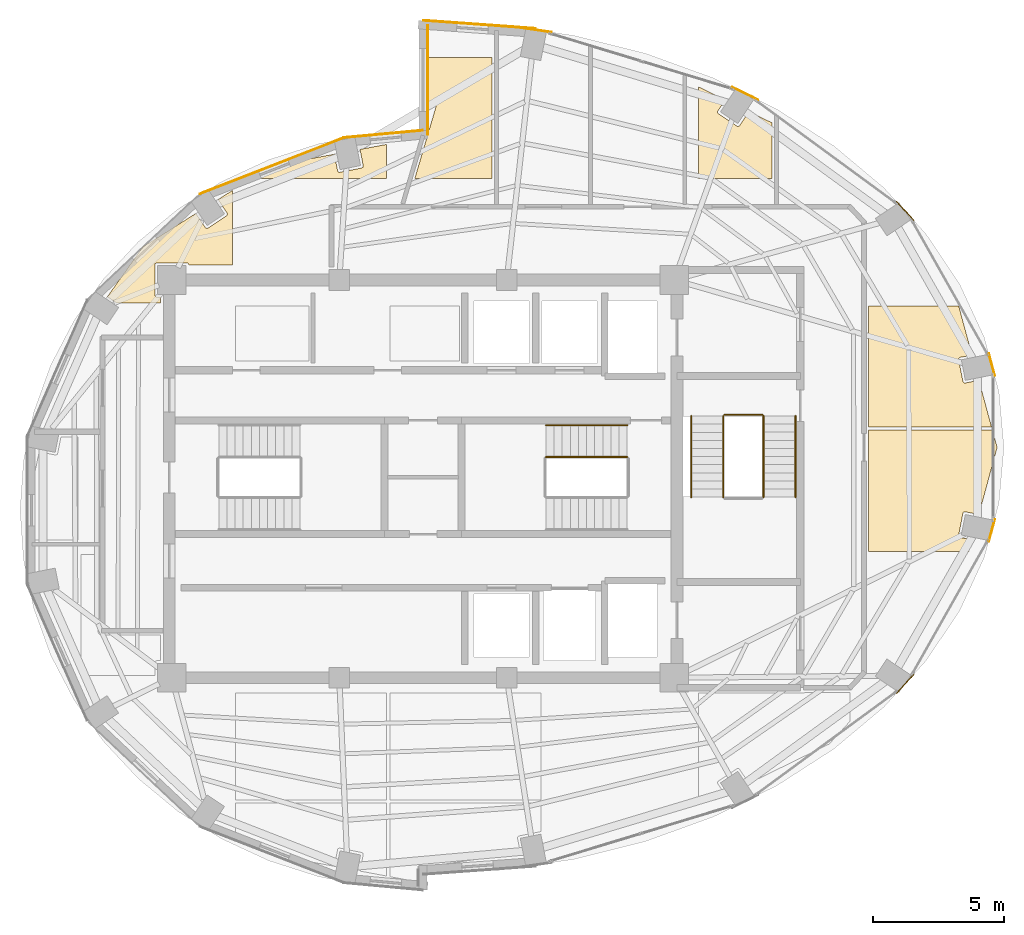
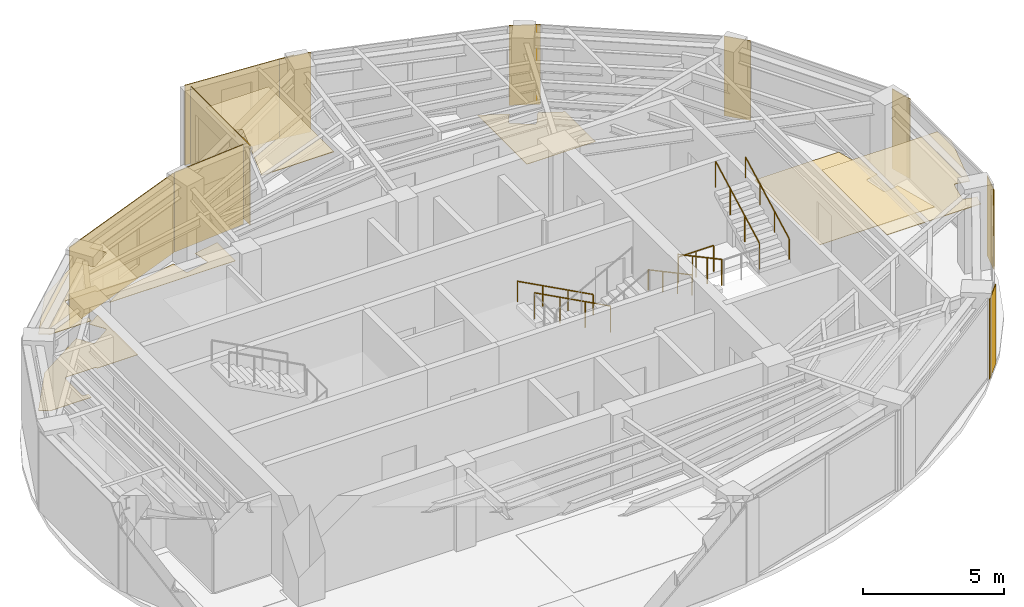
# One storey, part 13 of 13: 17 coverings, 7 railings.
"""IFC4 building model written with IfcOpenShell, lengths in metres."""

from ifc_helpers import new_model, si_unit, direction, frame, origin, origin_2d, place, context, subcontext, project, spatial, polyline, rectangle, circle, outline, extrude, material, layer, layer_set, type_object, element, save


model = new_model("IFC4")

# Units and contexts
model_context = context("Model", 3, precision=1e-05, world=origin(), true_north=direction((0.0, 1.0)))
body_context = subcontext(model_context, "Body", "Model", "MODEL_VIEW")
ifc_project = project(units=[si_unit("LENGTHUNIT", "METRE"), si_unit("AREAUNIT", "SQUARE_METRE"), si_unit("VOLUMEUNIT", "CUBIC_METRE"), si_unit("PLANEANGLEUNIT", "RADIAN"), si_unit("MASSUNIT", "GRAM", prefix="KILO")], contexts=[model_context])

# Site, building, storey
site_placement = place(None, origin())
site = spatial("IfcSite", under=ifc_project, at=site_placement, CompositionType="ELEMENT")
building_placement = place(site_placement, origin())
building = spatial("IfcBuilding", under=site, at=building_placement, Name="Lazwardi Medical Tower", CompositionType="ELEMENT")
storey_placement = place(building_placement, frame((0.0, 0.0, 295.152099609375)))
storey = spatial("IfcBuildingStorey", under=building, at=storey_placement, Name="L77", CompositionType="ELEMENT", Elevation=295.152099609375)

# Coverings
ifc_material_1 = material(Name="Anodised bronze aluminium cassette cladding", Category="aluminium")
ifc_layer_1 = layer(ifc_material_1, 0.030029296875)
ifc_layer_set_1 = layer_set([ifc_layer_1], Name="Anodised bronze aluminium cassette cladding")
covering_type_1 = type_object("IfcCoveringType", Name="COV-CLD-BRZ", PredefinedType="CLADDING", material=ifc_layer_set_1)
covering_1_placement = place(storey_placement, frame((54.42529296875, 20.165283203125, 0.0), z_axis=(0.0, 0.0, 1.0), x_axis=(0.673240970654, 0.739423150458, 0.0)))
element("IfcCovering", 1, at=covering_1_placement, inside=storey, type_object=covering_type_1, Name="L77 Mega-column bronze cassette cover M03", PredefinedType="CLADDING", context=body_context, shape_type="SweptSolid", body=[
    extrude(rectangle(XDim=0.98974609375, YDim=0.030029296875, at=origin_2d()), origin(), (0.0, 0.0, 1.0), 3.447998046875),
])
for number, where, z_axis, x_axis, name in (
    (2, (57.734130859375, 26.02734375, 0.0), (0.0, 0.0, 1.0), (0.261641748247, 0.96516506131, 0.0), "L77 Mega-column bronze cassette cover M04"),
    (3, (57.734130859375, 32.37255859375, 0.0), (0.0, 0.0, 1.0), (-0.261641748247, 0.96516506131, 0.0), "L77 Mega-column bronze cassette cover M05"),
):
    element("IfcCovering", number, at=place(storey_placement, frame(where, z_axis=z_axis, x_axis=x_axis)), inside=storey, type_object=covering_type_1, Name=name, PredefinedType="CLADDING", context=body_context, shape_type="SweptSolid", body=[
        extrude(rectangle(XDim=0.894287109375, YDim=0.030029296875, at=origin_2d()), origin(), (0.0, 0.0, 1.0), 3.447998046875),
    ])
covering_2_placement = place(storey_placement, frame((54.42529296875, 38.234619140625, 0.0), z_axis=(0.0, 0.0, 1.0), x_axis=(-0.673240970654, 0.739423150458, 0.0)))
element("IfcCovering", 4, at=covering_2_placement, inside=storey, type_object=covering_type_1, Name="L77 Mega-column bronze cassette cover M06", PredefinedType="CLADDING", context=body_context, shape_type="SweptSolid", body=[
    extrude(rectangle(XDim=0.98974609375, YDim=0.030029296875, at=origin_2d()), origin(), (0.0, 0.0, 1.0), 3.447998046875),
])
covering_3_placement = place(storey_placement, frame((48.311279296875, 42.721435546875, 0.0), z_axis=(0.0, 0.0, 1.0), x_axis=(-0.897840141691, 0.440321564278, 0.0)))
element("IfcCovering", 5, at=covering_3_placement, inside=storey, type_object=covering_type_1, Name="L77 Mega-column bronze cassette cover M07", PredefinedType="CLADDING", context=body_context, shape_type="SweptSolid", body=[
    extrude(rectangle(XDim=1.110595703125, YDim=0.030029296875, at=origin_2d()), origin(), (0.0, 0.0, 1.0), 3.447998046875),
])
covering_4_placement = place(storey_placement, frame((40.3232421875, 45.1494140625, 0.0), z_axis=(0.0, 0.0, 1.0), x_axis=(-0.989512431533, 0.144447733943, 0.0)))
element("IfcCovering", 6, at=covering_4_placement, inside=storey, type_object=covering_type_1, Name="L77 Mega-column bronze cassette cover M08", PredefinedType="CLADDING", context=body_context, shape_type="SweptSolid", body=[
    extrude(rectangle(XDim=1.188720703125, YDim=0.030029296875, at=origin_2d()), origin(), (0.0, 0.0, 1.0), 3.447998046875),
])
ifc_material_2 = material(Name="Turquoise glazed ceramic tilework cladding", Category="masonry")
ifc_layer_2 = layer(ifc_material_2, 0.034912109375)
ifc_layer_set_2 = layer_set([ifc_layer_2], Name="Turquoise glazed ceramic tilework cladding")
covering_type_2 = type_object("IfcCoveringType", Name="COV-CLD-TRQ", PredefinedType="CLADDING", material=ifc_layer_set_2)
covering_5_placement = place(storey_placement, frame((30.216064453125, 39.956787109375, 0.0), z_axis=(0.0, 0.0, 1.0), x_axis=(-0.931720388261, -0.363176428337, 0.0)))
element("IfcCovering", 7, at=covering_5_placement, inside=storey, type_object=covering_type_2, Name="L77 West drum ceramic/bronze cladding", PredefinedType="CLADDING", context=body_context, shape_type="SweptSolid", body=[
    extrude(rectangle(XDim=5.904052734375, YDim=0.034912109375, at=origin_2d()), origin(), (0.0, 0.0, 1.0), 3.447998046875),
])
covering_6_placement = place(storey_placement, frame((38.16259765625, 45.360107421875, 0.0), z_axis=(0.0, 0.0, 1.0), x_axis=(-0.997409491337, 0.071932653157, 0.0)))
element("IfcCovering", 8, at=covering_6_placement, inside=storey, type_object=covering_type_2, Name="L77 Turquoise glazed ceramic tilework cladding", PredefinedType="CLADDING", context=body_context, shape_type="SweptSolid", body=[
    extrude(rectangle(XDim=4.31103515625, YDim=0.034912109375, at=origin_2d()), origin(), (0.0, 0.0, 1.0), 3.447998046875),
])
covering_7_placement = place(storey_placement, frame((34.4970703125, 41.177001953125, 0.0), z_axis=(0.0, 0.0, 1.0), x_axis=(-0.995733560537, -0.092275004312, 0.0)))
element("IfcCovering", 9, at=covering_7_placement, inside=storey, type_object=covering_type_2, Name="L77 Turquoise glazed ceramic tilework cladding", PredefinedType="CLADDING", context=body_context, shape_type="SweptSolid", body=[
    extrude(rectangle(XDim=2.985595703125, YDim=0.034912109375, at=origin_2d()), origin(), (0.0, 0.0, 1.0), 3.447998046875),
])
covering_8_placement = place(storey_placement, frame((36.175537109375, 43.239990234375, 0.0), z_axis=(0.0, 0.0, 1.0), x_axis=(0.0, -1.0, 0.0)))
element("IfcCovering", 10, at=covering_8_placement, inside=storey, type_object=covering_type_2, Name="L77 Turquoise glazed ceramic tilework iwan panel", PredefinedType="CLADDING", context=body_context, shape_type="SweptSolid", body=[
    extrude(rectangle(XDim=4.199951171875, YDim=0.034912109375, at=origin_2d()), origin(), (0.0, 0.0, 1.0), 3.447998046875),
])
ifc_material_3 = material(Name="Acoustic mineral fibre tile")
ifc_layer_3 = layer(ifc_material_3, 0.02490234375)
ifc_layer_set_3 = layer_set([ifc_layer_3], Name="Acoustic mineral fibre tile")
covering_type_3 = type_object("IfcCoveringType", Name="COV-CLG-01", PredefinedType="CEILING", material=ifc_layer_set_3)
covering_9_placement = place(storey_placement, frame((0.0, 0.0, 3.302978515625)))
element("IfcCovering", 11, at=covering_9_placement, inside=storey, type_object=covering_type_3, Name="L77 Clinical Acoustic Ceiling 3", PredefinedType="CEILING", context=body_context, shape_type="SweptSolid", body=[
    extrude(outline(polyline([(28.7119140625, 39.015380859375), (28.167724609375, 38.67333984375), (28.510009765625, 38.1611328125), (28.51416015625, 38.154541015625), (28.517333984375, 38.1474609375), (28.52001953125, 38.139892578125), (28.52197265625, 38.13232421875), (28.523193359375, 38.12451171875), (28.5234375, 38.11669921875), (28.523193359375, 38.10888671875), (28.52197265625, 38.101318359375), (28.52001953125, 38.093505859375), (28.517333984375, 38.086181640625), (28.51416015625, 38.0791015625), (28.510009765625, 38.072509765625), (28.50537109375, 38.066162109375), (28.5, 38.060302734375), (28.494384765625, 38.054931640625), (28.48779296875, 38.05029296875), (27.78955078125, 37.58349609375), (27.78271484375, 37.57958984375), (27.775634765625, 37.576171875), (27.768310546875, 37.573486328125), (27.7607421875, 37.571533203125), (27.7529296875, 37.570556640625), (27.7451171875, 37.570068359375), (27.7373046875, 37.570556640625), (27.7294921875, 37.571533203125), (27.721923828125, 37.573486328125), (27.714599609375, 37.576171875), (27.70751953125, 37.57958984375), (27.70068359375, 37.58349609375), (27.6943359375, 37.58837890625), (27.6884765625, 37.593505859375), (27.683349609375, 37.599365234375), (27.6787109375, 37.605712890625), (27.32080078125, 38.140869140625), (25.293701171875, 36.866455078125), (23.939697265625, 34.959716796875), (24.288818359375, 34.726318359375), (25.969970703125, 34.726318359375), (25.969970703125, 34.949951171875), (25.830078125, 34.949951171875), (25.822265625, 34.950439453125), (25.814453125, 34.951416015625), (25.806884765625, 34.953369140625), (25.79931640625, 34.9560546875), (25.792236328125, 34.95947265625), (25.78564453125, 34.96337890625), (25.779296875, 34.96826171875), (25.7734375, 34.973388671875), (25.768310546875, 34.979248046875), (25.763427734375, 34.985595703125), (25.759521484375, 34.9921875), (25.756103515625, 34.99951171875), (25.75341796875, 35.0068359375), (25.75146484375, 35.014404296875), (25.75048828125, 35.022216796875), (25.75, 35.030029296875), (25.75, 36.169921875), (25.75048828125, 36.177734375), (25.75146484375, 36.185546875), (25.75341796875, 36.193115234375), (25.756103515625, 36.20068359375), (25.759521484375, 36.207763671875), (25.763427734375, 36.21435546875), (25.768310546875, 36.220703125), (25.7734375, 36.2265625), (25.779296875, 36.231689453125), (25.78564453125, 36.236572265625), (25.792236328125, 36.240478515625), (25.79931640625, 36.243896484375), (25.806884765625, 36.24658203125), (25.814453125, 36.24853515625), (25.822265625, 36.24951171875), (25.830078125, 36.25), (26.969970703125, 36.25), (26.977783203125, 36.24951171875), (26.985595703125, 36.24853515625), (26.9931640625, 36.24658203125), (27.00048828125, 36.243896484375), (27.0078125, 36.240478515625), (27.014404296875, 36.236572265625), (27.020751953125, 36.231689453125), (27.026611328125, 36.2265625), (27.03173828125, 36.220703125), (27.03662109375, 36.21435546875), (27.04052734375, 36.207763671875), (27.0439453125, 36.20068359375), (27.046630859375, 36.193115234375), (27.048583984375, 36.185546875), (27.04931640625, 36.179931640625), (28.7119140625, 36.179931640625), (28.7119140625, 39.015380859375)])), origin(), (0.0, 0.0, 1.0), 0.02490234375),
])
covering_10_placement = place(storey_placement, frame((0.0, 0.0, 3.302978515625)))
element("IfcCovering", 12, at=covering_10_placement, inside=storey, type_object=covering_type_3, Name="L77 Clinical Acoustic Ceiling 7", PredefinedType="CEILING", context=body_context, shape_type="SweptSolid", body=[
    extrude(outline(polyline([(36.080078125, 44.1064453125), (36.080078125, 41.972412109375), (36.18212890625, 42.3173828125), (36.184814453125, 42.324951171875), (36.18798828125, 42.33203125), (36.19189453125, 42.3388671875), (36.196533203125, 42.34521484375), (36.201904296875, 42.35107421875), (36.20751953125, 42.356201171875), (36.2138671875, 42.361083984375), (36.220703125, 42.364990234375), (36.227783203125, 42.368408203125), (36.235107421875, 42.37109375), (36.24267578125, 42.373291015625), (36.25048828125, 42.37451171875), (36.25830078125, 42.374755859375), (36.26611328125, 42.37451171875), (36.27392578125, 42.373291015625), (36.281494140625, 42.37158203125), (36.444580078125, 42.3232421875), (36.451904296875, 42.32080078125), (36.458984375, 42.3173828125), (36.4658203125, 42.3134765625), (36.47216796875, 42.308837890625), (36.47802734375, 42.3037109375), (36.4833984375, 42.2978515625), (36.488037109375, 42.29150390625), (36.4921875, 42.284912109375), (36.49560546875, 42.277587890625), (36.498291015625, 42.2705078125), (36.500244140625, 42.2626953125), (36.50146484375, 42.2548828125), (36.501708984375, 42.247314453125), (36.50146484375, 42.2392578125), (36.50048828125, 42.2314453125), (36.49853515625, 42.223876953125), (35.68603515625, 39.476318359375), (38.635009765625, 39.476318359375), (38.635009765625, 44.1064453125), (36.080078125, 44.1064453125)])), origin(), (0.0, 0.0, 1.0), 0.02490234375),
])
covering_11_placement = place(storey_placement, frame((0.0, 0.0, 3.302978515625)))
element("IfcCovering", 13, at=covering_11_placement, inside=storey, type_object=covering_type_3, Name="L77 Clinical Acoustic Ceiling 9", PredefinedType="CEILING", context=body_context, shape_type="SweptSolid", body=[
    extrude(outline(polyline([(53.02490234375, 29.8564453125), (53.02490234375, 25.226318359375), (56.857421875, 25.226318359375), (56.9775390625, 25.668701171875), (56.5283203125, 25.7578125), (56.520751953125, 25.759765625), (56.513427734375, 25.762451171875), (56.50634765625, 25.765869140625), (56.49951171875, 25.77001953125), (56.4931640625, 25.774658203125), (56.4873046875, 25.77978515625), (56.482177734375, 25.78564453125), (56.4775390625, 25.7919921875), (56.473388671875, 25.798583984375), (56.47021484375, 25.805908203125), (56.46728515625, 25.813232421875), (56.465576171875, 25.82080078125), (56.46435546875, 25.82861328125), (56.464111328125, 25.83642578125), (56.46435546875, 25.84423828125), (56.465576171875, 25.85205078125), (56.62939453125, 26.67578125), (56.63134765625, 26.683349609375), (56.634033203125, 26.69091796875), (56.63720703125, 26.697998046875), (56.641357421875, 26.70458984375), (56.64599609375, 26.7109375), (56.6513671875, 26.716796875), (56.656982421875, 26.721923828125), (56.66357421875, 26.726806640625), (56.670166015625, 26.730712890625), (56.67724609375, 26.734130859375), (56.684814453125, 26.73681640625), (56.6923828125, 26.73876953125), (56.7001953125, 26.73974609375), (56.7080078125, 26.740234375), (56.7158203125, 26.73974609375), (56.723388671875, 26.73876953125), (57.240478515625, 26.635986328125), (57.93701171875, 29.199951171875), (57.7587890625, 29.8564453125), (53.02490234375, 29.8564453125)])), origin(), (0.0, 0.0, 1.0), 0.02490234375),
])
ifc_material_4 = material(Name="Anti-static hospital vinyl sheet flooring")
ifc_layer_4 = layer(ifc_material_4, 0.014892578125)
ifc_layer_set_4 = layer_set([ifc_layer_4], Name="Anti-static hospital vinyl sheet flooring")
covering_type_4 = type_object("IfcCoveringType", Name="COV-FLR-01", PredefinedType="FLOORING", material=ifc_layer_set_4)
covering_12_placement = place(storey_placement, origin())
element("IfcCovering", 14, at=covering_12_placement, inside=storey, type_object=covering_type_4, Name="L77 Clinical Vinyl Flooring 2", PredefinedType="FLOORING", context=body_context, shape_type="SweptSolid", body=[
    extrude(outline(polyline([(28.7119140625, 39.015380859375), (28.167724609375, 38.67333984375), (28.510009765625, 38.1611328125), (28.51416015625, 38.154541015625), (28.517333984375, 38.1474609375), (28.52001953125, 38.139892578125), (28.52197265625, 38.13232421875), (28.523193359375, 38.12451171875), (28.5234375, 38.11669921875), (28.523193359375, 38.10888671875), (28.52197265625, 38.101318359375), (28.52001953125, 38.093505859375), (28.517333984375, 38.086181640625), (28.51416015625, 38.0791015625), (28.510009765625, 38.072509765625), (28.50537109375, 38.066162109375), (28.5, 38.060302734375), (28.494384765625, 38.054931640625), (28.48779296875, 38.05029296875), (27.78955078125, 37.58349609375), (27.78271484375, 37.57958984375), (27.775634765625, 37.576171875), (27.768310546875, 37.573486328125), (27.7607421875, 37.571533203125), (27.7529296875, 37.570556640625), (27.7451171875, 37.570068359375), (27.7373046875, 37.570556640625), (27.7294921875, 37.571533203125), (27.721923828125, 37.573486328125), (27.714599609375, 37.576171875), (27.70751953125, 37.57958984375), (27.70068359375, 37.58349609375), (27.6943359375, 37.58837890625), (27.6884765625, 37.593505859375), (27.683349609375, 37.599365234375), (27.6787109375, 37.605712890625), (27.32080078125, 38.140869140625), (25.293701171875, 36.866455078125), (23.939697265625, 34.959716796875), (24.288818359375, 34.726318359375), (25.969970703125, 34.726318359375), (25.969970703125, 34.949951171875), (25.830078125, 34.949951171875), (25.822265625, 34.950439453125), (25.814453125, 34.951416015625), (25.806884765625, 34.953369140625), (25.79931640625, 34.9560546875), (25.792236328125, 34.95947265625), (25.78564453125, 34.96337890625), (25.779296875, 34.96826171875), (25.7734375, 34.973388671875), (25.768310546875, 34.979248046875), (25.763427734375, 34.985595703125), (25.759521484375, 34.9921875), (25.756103515625, 34.99951171875), (25.75341796875, 35.0068359375), (25.75146484375, 35.014404296875), (25.75048828125, 35.022216796875), (25.75, 35.030029296875), (25.75, 36.169921875), (25.75048828125, 36.177734375), (25.75146484375, 36.185546875), (25.75341796875, 36.193115234375), (25.756103515625, 36.20068359375), (25.759521484375, 36.207763671875), (25.763427734375, 36.21435546875), (25.768310546875, 36.220703125), (25.7734375, 36.2265625), (25.779296875, 36.231689453125), (25.78564453125, 36.236572265625), (25.792236328125, 36.240478515625), (25.79931640625, 36.243896484375), (25.806884765625, 36.24658203125), (25.814453125, 36.24853515625), (25.822265625, 36.24951171875), (25.830078125, 36.25), (26.969970703125, 36.25), (26.977783203125, 36.24951171875), (26.985595703125, 36.24853515625), (26.9931640625, 36.24658203125), (27.00048828125, 36.243896484375), (27.0078125, 36.240478515625), (27.014404296875, 36.236572265625), (27.020751953125, 36.231689453125), (27.026611328125, 36.2265625), (27.03173828125, 36.220703125), (27.03662109375, 36.21435546875), (27.04052734375, 36.207763671875), (27.0439453125, 36.20068359375), (27.046630859375, 36.193115234375), (27.048583984375, 36.185546875), (27.04931640625, 36.179931640625), (28.7119140625, 36.179931640625), (28.7119140625, 39.015380859375)])), origin(), (0.0, 0.0, 1.0), 0.014892578125),
])
covering_13_placement = place(storey_placement, origin())
element("IfcCovering", 15, at=covering_13_placement, inside=storey, type_object=covering_type_4, Name="L77 Clinical Vinyl Flooring 4", PredefinedType="FLOORING", context=body_context, shape_type="SweptSolid", body=[
    extrude(outline(polyline([(34.61181640625, 40.77880859375), (33.591552734375, 40.587890625), (33.71435546875, 39.971435546875), (33.71533203125, 39.963623046875), (33.7158203125, 39.955810546875), (33.71533203125, 39.947998046875), (33.71435546875, 39.940185546875), (33.71240234375, 39.9326171875), (33.709716796875, 39.92529296875), (33.706298828125, 39.918212890625), (33.702392578125, 39.911376953125), (33.697509765625, 39.905029296875), (33.6923828125, 39.899169921875), (33.6865234375, 39.89404296875), (33.68017578125, 39.889404296875), (33.673583984375, 39.88525390625), (33.66650390625, 39.8818359375), (33.658935546875, 39.879150390625), (33.6513671875, 39.877197265625), (32.82763671875, 39.71337890625), (32.81982421875, 39.71240234375), (32.81201171875, 39.7119140625), (32.80419921875, 39.71240234375), (32.79638671875, 39.71337890625), (32.788818359375, 39.71533203125), (32.781494140625, 39.718017578125), (32.7744140625, 39.72119140625), (32.767578125, 39.725341796875), (32.76123046875, 39.72998046875), (32.75537109375, 39.7353515625), (32.750244140625, 39.7412109375), (32.74560546875, 39.74755859375), (32.741455078125, 39.754150390625), (32.738037109375, 39.76123046875), (32.7353515625, 39.768798828125), (32.7333984375, 39.7763671875), (32.608642578125, 40.40380859375), (30.205322265625, 39.9541015625), (29.4453125, 39.476318359375), (34.61181640625, 39.476318359375), (34.61181640625, 40.77880859375)])), origin(), (0.0, 0.0, 1.0), 0.014892578125),
])
covering_14_placement = place(storey_placement, origin())
element("IfcCovering", 16, at=covering_14_placement, inside=storey, type_object=covering_type_4, Name="L77 Clinical Vinyl Flooring 7", PredefinedType="FLOORING", context=body_context, shape_type="SweptSolid", body=[
    extrude(outline(polyline([(49.3349609375, 39.476318359375), (49.3349609375, 41.60302734375), (48.454345703125, 42.03369140625), (48.099365234375, 41.50244140625), (48.094482421875, 41.49609375), (48.08935546875, 41.490234375), (48.08349609375, 41.485107421875), (48.0771484375, 41.480224609375), (48.070556640625, 41.476318359375), (48.0634765625, 41.472900390625), (48.055908203125, 41.47021484375), (48.04833984375, 41.46826171875), (48.04052734375, 41.46728515625), (48.03271484375, 41.466796875), (48.02490234375, 41.46728515625), (48.01708984375, 41.46826171875), (48.009521484375, 41.47021484375), (48.002197265625, 41.472900390625), (47.9951171875, 41.476318359375), (47.98828125, 41.480224609375), (47.2900390625, 41.947021484375), (47.28369140625, 41.95166015625), (47.27783203125, 41.956787109375), (47.272705078125, 41.962646484375), (47.267822265625, 41.968994140625), (47.263916015625, 41.975830078125), (47.260498046875, 41.98291015625), (47.2578125, 41.990234375), (47.255859375, 41.997802734375), (47.2548828125, 42.005615234375), (47.25439453125, 42.013427734375), (47.2548828125, 42.021240234375), (47.255859375, 42.029052734375), (47.2578125, 42.03662109375), (47.260498046875, 42.044189453125), (47.263916015625, 42.05126953125), (47.267822265625, 42.057861328125), (47.5478515625, 42.47705078125), (46.53173828125, 42.97412109375), (46.53173828125, 39.476318359375), (49.3349609375, 39.476318359375)])), origin(), (0.0, 0.0, 1.0), 0.014892578125),
])
covering_15_placement = place(storey_placement, origin())
element("IfcCovering", 17, at=covering_15_placement, inside=storey, type_object=covering_type_4, Name="L77 Clinical Vinyl Flooring 8", PredefinedType="FLOORING", context=body_context, shape_type="SweptSolid", body=[
    extrude(outline(polyline([(53.02490234375, 34.6064453125), (53.02490234375, 29.976318359375), (57.72607421875, 29.976318359375), (57.240478515625, 31.76416015625), (56.723388671875, 31.661376953125), (56.7158203125, 31.66015625), (56.7080078125, 31.659912109375), (56.7001953125, 31.66015625), (56.6923828125, 31.661376953125), (56.684814453125, 31.6630859375), (56.67724609375, 31.666015625), (56.670166015625, 31.669189453125), (56.66357421875, 31.67333984375), (56.656982421875, 31.677978515625), (56.6513671875, 31.68310546875), (56.64599609375, 31.68896484375), (56.641357421875, 31.6953125), (56.63720703125, 31.7021484375), (56.634033203125, 31.709228515625), (56.63134765625, 31.716552734375), (56.62939453125, 31.72412109375), (56.465576171875, 32.548095703125), (56.46435546875, 32.555908203125), (56.464111328125, 32.563720703125), (56.46435546875, 32.5712890625), (56.465576171875, 32.5791015625), (56.46728515625, 32.5869140625), (56.47021484375, 32.59423828125), (56.473388671875, 32.601318359375), (56.4775390625, 32.60791015625), (56.482177734375, 32.6142578125), (56.4873046875, 32.6201171875), (56.4931640625, 32.62548828125), (56.49951171875, 32.630126953125), (56.50634765625, 32.63427734375), (56.513427734375, 32.637451171875), (56.520751953125, 32.64013671875), (56.5283203125, 32.64208984375), (56.9775390625, 32.7314453125), (56.468017578125, 34.6064453125), (53.02490234375, 34.6064453125)])), origin(), (0.0, 0.0, 1.0), 0.014892578125),
])

# Railings
ifc_material_5 = material(Name="Stainless steel Grade 316", Category="steel")
railing_type_1 = type_object("IfcRailingType", Name="RLG-GRD-1150", PredefinedType="GUARDRAIL", material=ifc_material_5)
railing_1_placement = place(storey_placement, frame((43.800048828125, 28.830078125, 0.165771484375)))
element("IfcRailing", 18, at=railing_1_placement, inside=storey, type_object=railing_type_1, Name="L77 ST2 stair guard 1", PredefinedType="GUARDRAIL", context=body_context, shape_type="SweptSolid", body=[
    extrude(circle(Radius=0.02392578125, at=origin_2d()), frame((0.0, 0.0, 1.1259765625), z_axis=(-0.881783298633, 0.0, 0.471654761719), x_axis=(0.0, -1.0, 0.0)), (0.0, 0.0, 1.0), 3.515625),
    extrude(circle(Radius=0.02099609375, at=origin_2d()), origin(), (0.0, 0.0, 1.0), 1.099853515625),
    extrude(circle(Radius=0.02099609375, at=origin_2d()), frame((-1.033447265625, 0.0, 0.552734375)), (0.0, 0.0, 1.0), 1.099853515625),
    extrude(circle(Radius=0.02099609375, at=origin_2d()), frame((-2.066650390625, 0.0, 1.10546875)), (0.0, 0.0, 1.0), 1.099853515625),
    extrude(circle(Radius=0.02099609375, at=origin_2d()), frame((-3.10009765625, 0.0, 1.658203125)), (0.0, 0.0, 1.0), 1.099853515625),
])
railing_2_placement = place(storey_placement, frame((47.469970703125, 30.39990234375, 0.165771484375)))
element("IfcRailing", 19, at=railing_2_placement, inside=storey, type_object=railing_type_1, Name="L77 ST3 stair guard 1", PredefinedType="GUARDRAIL", context=body_context, shape_type="SweptSolid", body=[
    extrude(circle(Radius=0.02392578125, at=origin_2d()), frame((0.0, 0.0, 1.1259765625), z_axis=(0.0, -0.881767849116, 0.471683644262), x_axis=(1.0, 0.0, 0.0)), (0.0, 0.0, 1.0), 3.515380859375),
    extrude(circle(Radius=0.02099609375, at=origin_2d()), origin(), (0.0, 0.0, 1.0), 1.099853515625),
    extrude(circle(Radius=0.02099609375, at=origin_2d()), frame((0.0, -1.033203125, 0.552734375)), (0.0, 0.0, 1.0), 1.099853515625),
    extrude(circle(Radius=0.02099609375, at=origin_2d()), frame((0.0, -2.066650390625, 1.10546875)), (0.0, 0.0, 1.0), 1.099853515625),
    extrude(circle(Radius=0.02099609375, at=origin_2d()), frame((0.0, -3.099853515625, 1.658203125)), (0.0, 0.0, 1.0), 1.099853515625),
])
railing_3_placement = place(storey_placement, frame((49.010009765625, 27.300048828125, 1.98974609375)))
element("IfcRailing", 20, at=railing_3_placement, inside=storey, type_object=railing_type_1, Name="L77 ST3 stair guard 3", PredefinedType="GUARDRAIL", context=body_context, shape_type="SweptSolid", body=[
    extrude(circle(Radius=0.02392578125, at=origin_2d()), frame((0.0, 0.0, 1.1259765625), z_axis=(0.0, 0.881767849116, 0.471683644262), x_axis=(-1.0, 0.0, 0.0)), (0.0, 0.0, 1.0), 3.515380859375),
    extrude(circle(Radius=0.02099609375, at=origin_2d()), origin(), (0.0, 0.0, 1.0), 1.099853515625),
    extrude(circle(Radius=0.02099609375, at=origin_2d()), frame((0.0, 1.033203125, 0.552734375)), (0.0, 0.0, 1.0), 1.099853515625),
    extrude(circle(Radius=0.02099609375, at=origin_2d()), frame((0.0, 2.066650390625, 1.10546875)), (0.0, 0.0, 1.0), 1.099853515625),
    extrude(circle(Radius=0.02099609375, at=origin_2d()), frame((0.0, 3.099853515625, 1.658203125)), (0.0, 0.0, 1.0), 1.099853515625),
])
railing_4_placement = place(storey_placement, frame((47.52001953125, 30.449951171875, 0.0)))
element("IfcRailing", 21, at=railing_4_placement, inside=storey, type_object=railing_type_1, Name="L77 ST3 stair guard 4", PredefinedType="GUARDRAIL", context=body_context, shape_type="SweptSolid", body=[
    extrude(circle(Radius=0.02392578125, at=origin_2d()), frame((0.0, 0.0, 1.1259765625), z_axis=(1.0, 0.0, 0.0), x_axis=(0.0, 1.0, 0.0)), (0.0, 0.0, 1.0), 1.43994140625),
    extrude(circle(Radius=0.02099609375, at=origin_2d()), origin(), (0.0, 0.0, 1.0), 1.099853515625),
    extrude(circle(Radius=0.02099609375, at=origin_2d()), frame((0.719970703125, 0.0, 0.0)), (0.0, 0.0, 1.0), 1.099853515625),
    extrude(circle(Radius=0.02099609375, at=origin_2d()), frame((1.43994140625, 0.0, 0.0)), (0.0, 0.0, 1.0), 1.099853515625),
])
railing_type_2 = type_object("IfcRailingType", Name="RLG-HND-920", PredefinedType="HANDRAIL", material=ifc_material_5)
railing_5_placement = place(storey_placement, frame((43.800048828125, 30.050048828125, 0.165771484375)))
element("IfcRailing", 22, at=railing_5_placement, inside=storey, type_object=railing_type_2, Name="L77 ST2 stair handrail 1", PredefinedType="HANDRAIL", context=body_context, shape_type="SweptSolid", body=[
    extrude(circle(Radius=0.02392578125, at=origin_2d()), frame((0.0, 0.0, 0.8857421875), z_axis=(-0.881783298633, 0.0, 0.471654761719), x_axis=(0.0, -1.0, 0.0)), (0.0, 0.0, 1.0), 3.515625),
    extrude(circle(Radius=0.02099609375, at=origin_2d()), origin(), (0.0, 0.0, 1.0), 0.85986328125),
    extrude(circle(Radius=0.02099609375, at=origin_2d()), frame((-1.033447265625, 0.0, 0.552734375)), (0.0, 0.0, 1.0), 0.85986328125),
    extrude(circle(Radius=0.02099609375, at=origin_2d()), frame((-2.066650390625, 0.0, 1.10546875)), (0.0, 0.0, 1.0), 0.85986328125),
    extrude(circle(Radius=0.02099609375, at=origin_2d()), frame((-3.10009765625, 0.0, 1.658203125)), (0.0, 0.0, 1.0), 0.85986328125),
])
railing_6_placement = place(storey_placement, frame((46.25, 30.39990234375, 0.165771484375)))
element("IfcRailing", 23, at=railing_6_placement, inside=storey, type_object=railing_type_2, Name="L77 ST3 stair handrail 1", PredefinedType="HANDRAIL", context=body_context, shape_type="SweptSolid", body=[
    extrude(circle(Radius=0.02392578125, at=origin_2d()), frame((0.0, 0.0, 0.8857421875), z_axis=(0.0, -0.881767849116, 0.471683644262), x_axis=(1.0, 0.0, 0.0)), (0.0, 0.0, 1.0), 3.515380859375),
    extrude(circle(Radius=0.02099609375, at=origin_2d()), origin(), (0.0, 0.0, 1.0), 0.85986328125),
    extrude(circle(Radius=0.02099609375, at=origin_2d()), frame((0.0, -1.033203125, 0.552734375)), (0.0, 0.0, 1.0), 0.85986328125),
    extrude(circle(Radius=0.02099609375, at=origin_2d()), frame((0.0, -2.066650390625, 1.10546875)), (0.0, 0.0, 1.0), 0.85986328125),
    extrude(circle(Radius=0.02099609375, at=origin_2d()), frame((0.0, -3.099853515625, 1.658203125)), (0.0, 0.0, 1.0), 0.85986328125),
])
railing_7_placement = place(storey_placement, frame((50.22998046875, 27.300048828125, 1.98974609375)))
element("IfcRailing", 24, at=railing_7_placement, inside=storey, type_object=railing_type_2, Name="L77 ST3 stair handrail 2", PredefinedType="HANDRAIL", context=body_context, shape_type="SweptSolid", body=[
    extrude(circle(Radius=0.02392578125, at=origin_2d()), frame((0.0, 0.0, 0.8857421875), z_axis=(0.0, 0.881767849116, 0.471683644262), x_axis=(-1.0, 0.0, 0.0)), (0.0, 0.0, 1.0), 3.515380859375),
    extrude(circle(Radius=0.02099609375, at=origin_2d()), origin(), (0.0, 0.0, 1.0), 0.85986328125),
    extrude(circle(Radius=0.02099609375, at=origin_2d()), frame((0.0, 1.033203125, 0.552734375)), (0.0, 0.0, 1.0), 0.85986328125),
    extrude(circle(Radius=0.02099609375, at=origin_2d()), frame((0.0, 2.066650390625, 1.10546875)), (0.0, 0.0, 1.0), 0.85986328125),
    extrude(circle(Radius=0.02099609375, at=origin_2d()), frame((0.0, 3.099853515625, 1.658203125)), (0.0, 0.0, 1.0), 0.85986328125),
])

save(model, "model.ifc")
